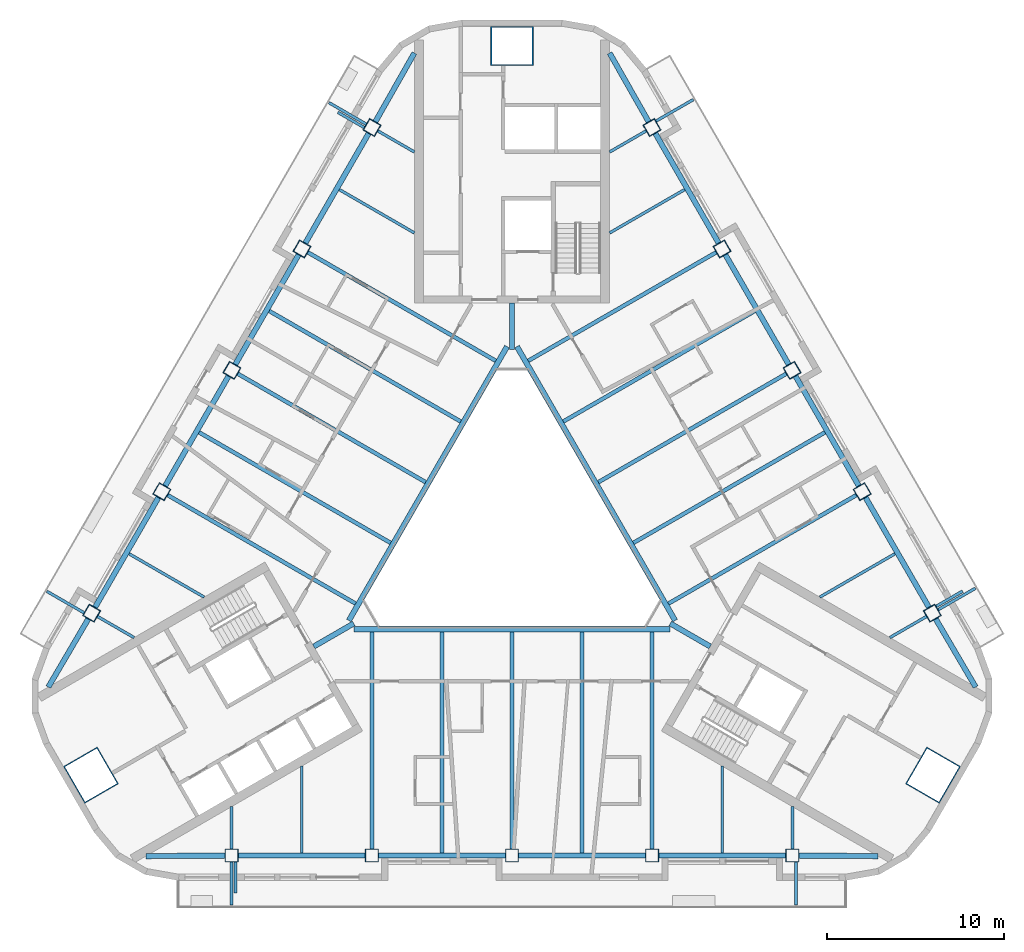
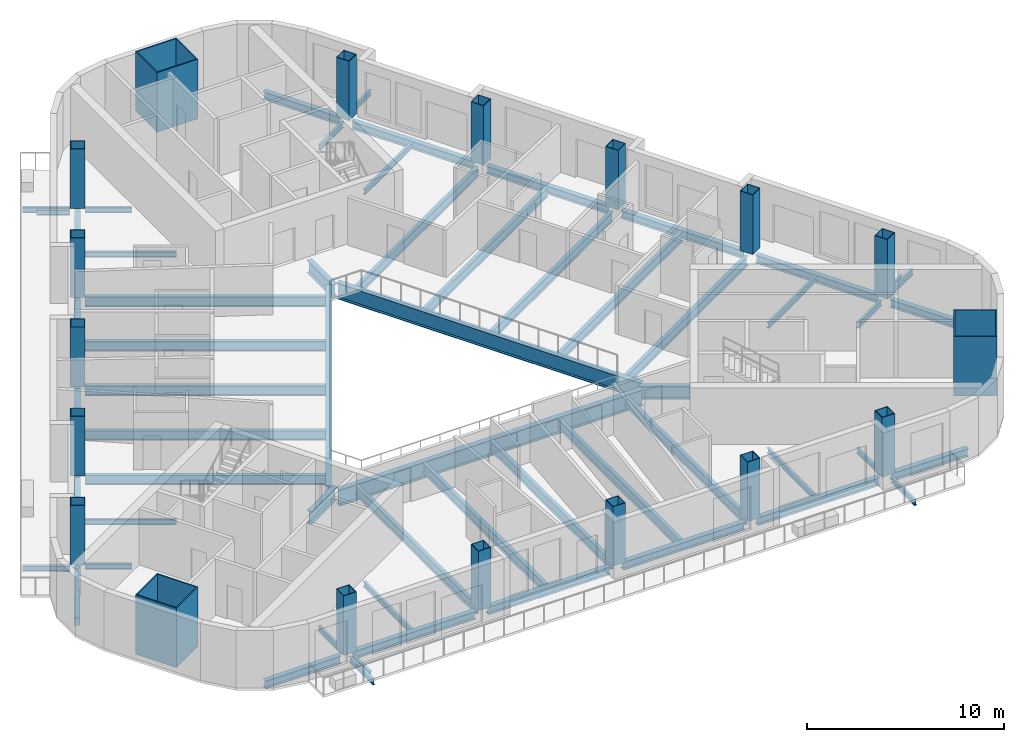
# One storey, part 1 of 14: 60 beams, 18 columns.
"""IFC4 building model written with IfcOpenShell, lengths in metres."""

from ifc_helpers import new_model, si_unit, direction, frame, origin, origin_2d, place, context, subcontext, project, spatial, rectangle, hollow_rectangle, i_section, extrude, material, material_profile, profile_set, type_object, element, save


model = new_model("IFC4")

# Units and contexts
model_context = context("Model", 3, precision=1e-05, world=origin(), true_north=direction((0.0, 1.0)))
body_context = subcontext(model_context, "Body", "Model", "MODEL_VIEW")
ifc_project = project(units=[si_unit("LENGTHUNIT", "METRE"), si_unit("AREAUNIT", "SQUARE_METRE"), si_unit("VOLUMEUNIT", "CUBIC_METRE"), si_unit("PLANEANGLEUNIT", "RADIAN"), si_unit("MASSUNIT", "GRAM", prefix="KILO")], contexts=[model_context])

# Site, building, storey
site_placement = place(None, origin())
site = spatial("IfcSite", under=ifc_project, at=site_placement, CompositionType="ELEMENT")
building_placement = place(site_placement, origin())
building = spatial("IfcBuilding", under=site, at=building_placement, Name="Apuvela Tower Hotel", CompositionType="ELEMENT")
storey_placement = place(building_placement, frame((0.0, 0.0, 205.800048828125)))
storey = spatial("IfcBuildingStorey", under=building, at=storey_placement, Name="L50", CompositionType="ELEMENT", Elevation=205.800048828125)

# Columns
ifc_material_1 = material(Name="Steel S460", Category="steel")
ifc_material_profile_1 = material_profile(ifc_material_1, hollow_rectangle(XDim=2.39990234375, YDim=2.199951171875, WallThickness=0.06005859375, at=origin_2d()), Name="BOX 2400x2200x60")
ifc_material_2 = material(Name="Concrete C80/95", Category="concrete")
ifc_material_profile_2 = material_profile(ifc_material_2, rectangle(XDim=2.280029296875, YDim=2.080078125, at=origin_2d()), Name="Concrete C80/95 infill")
ifc_profile_set_1 = profile_set([ifc_material_profile_1, ifc_material_profile_2], Name="Steel S460")
column_type_1 = type_object("IfcColumnType", Name="STR-MC mega column BOX 2400x2200x60", PredefinedType="COLUMN", material=ifc_profile_set_1)
for number, where, z_axis, x_axis, name in (
    (1, (0.0, 27.39990234375, 0.0), (0.0, 0.0, 1.0), (1.0, 0.0, 0.0), "Mega column MC3 N"),
    (2, (-23.72900390625, -13.699951171875, 0.0), (0.0, 0.0, 1.0), (-0.5, 0.866025403784, 0.0), "Mega column MC3 SW"),
    (3, (23.72900390625, -13.699951171875, 0.0), (0.0, 0.0, 1.0), (0.5, 0.866025403784, 0.0), "Mega column MC3 SE"),
):
    element("IfcColumn", number, at=place(storey_placement, frame(where, z_axis=z_axis, x_axis=x_axis)), inside=storey, type_object=column_type_1, Name=name, PredefinedType="COLUMN", context=body_context, shape_type="SweptSolid", body=[
        extrude(hollow_rectangle(XDim=2.39990234375, YDim=2.199951171875, WallThickness=0.06005859375, at=origin_2d()), origin(), (0.0, 0.0, 1.0), 3.699951171875),
    ])
ifc_material_profile_3 = material_profile(ifc_material_1, hollow_rectangle(XDim=0.75, YDim=0.75, WallThickness=0.034912109375, at=origin_2d()), Name="BOX 750x750x35")
ifc_material_profile_4 = material_profile(ifc_material_2, rectangle(XDim=0.679931640625, YDim=0.679931640625, at=origin_2d()), Name="Concrete C80/95 infill")
ifc_profile_set_2 = profile_set([ifc_material_profile_3, ifc_material_profile_4], Name="Steel S460")
column_type_2 = type_object("IfcColumnType", Name="STR-PC perimeter column BOX 750x750x35", PredefinedType="COLUMN", material=ifc_profile_set_2)
for number, where, z_axis, x_axis, name in (
    (4, (-15.800048828125, -18.22998046875, 0.0), (0.0, 0.0, 1.0), (-1.0, 0.0, 0.0), "Perimeter column C5 S1"),
    (5, (-7.89990234375, -18.22998046875, 0.0), (0.0, 0.0, 1.0), (-1.0, 0.0, 0.0), "Perimeter column C5 S2"),
    (6, (0.0, -18.22998046875, 0.0), (0.0, 0.0, 1.0), (-1.0, 0.0, 0.0), "Perimeter column C5 S3"),
    (7, (7.89990234375, -18.22998046875, 0.0), (0.0, 0.0, 1.0), (-1.0, 0.0, 0.0), "Perimeter column C5 S4"),
    (8, (15.800048828125, -18.22998046875, 0.0), (0.0, 0.0, 1.0), (-1.0, 0.0, 0.0), "Perimeter column C5 S5"),
    (9, (23.6875, -4.568115234375, 0.0), (0.0, 0.0, 1.0), (-0.5, 0.866025403784, 0.0), "Perimeter column C5 NE1"),
    (10, (19.737548828125, 2.2734375, 0.0), (0.0, 0.0, 1.0), (-0.5, 0.866025403784, 0.0), "Perimeter column C5 NE2"),
    (11, (15.78759765625, 9.114990234375, 0.0), (0.0, 0.0, 1.0), (-0.5, 0.866025403784, 0.0), "Perimeter column C5 NE3"),
    (12, (11.837646484375, 15.95654296875, 0.0), (0.0, 0.0, 1.0), (-0.5, 0.866025403784, 0.0), "Perimeter column C5 NE4"),
    (13, (7.8876953125, 22.798095703125, 0.0), (0.0, 0.0, 1.0), (-0.5, 0.866025403784, 0.0), "Perimeter column C5 NE5"),
    (14, (-7.8876953125, 22.798095703125, 0.0), (0.0, 0.0, 1.0), (0.5, 0.866025403784, 0.0), "Perimeter column C5 NW1"),
    (15, (-11.837646484375, 15.95654296875, 0.0), (0.0, 0.0, 1.0), (0.5, 0.866025403784, 0.0), "Perimeter column C5 NW2"),
    (16, (-15.78759765625, 9.114990234375, 0.0), (0.0, 0.0, 1.0), (0.5, 0.866025403784, 0.0), "Perimeter column C5 NW3"),
    (17, (-19.737548828125, 2.2734375, 0.0), (0.0, 0.0, 1.0), (0.5, 0.866025403784, 0.0), "Perimeter column C5 NW4"),
    (18, (-23.6875, -4.568115234375, 0.0), (0.0, 0.0, 1.0), (0.5, 0.866025403784, 0.0), "Perimeter column C5 NW5"),
):
    element("IfcColumn", number, at=place(storey_placement, frame(where, z_axis=z_axis, x_axis=x_axis)), inside=storey, type_object=column_type_2, Name=name, PredefinedType="COLUMN", context=body_context, shape_type="SweptSolid", body=[
        extrude(hollow_rectangle(XDim=0.75, YDim=0.75, WallThickness=0.034912109375, at=origin_2d()), origin(), (0.0, 0.0, 1.0), 3.699951171875),
    ])

# Beams
ifc_material_3 = material(Name="Steel S355", Category="steel")
ifc_material_profile_5 = material_profile(ifc_material_3, i_section(OverallWidth=0.159912109375, OverallDepth=0.330078125, WebThickness=0.007568359375, FlangeThickness=0.011474609375, at=origin_2d()), Name="IPE 330")
ifc_profile_set_3 = profile_set([ifc_material_profile_5], Name="Steel S355")
beam_type_1 = type_object("IfcBeamType", Name="ENV-BALCONY-BEAM-IPE330", PredefinedType="BEAM", material=ifc_profile_set_3)
beam_1_placement = place(storey_placement, frame((-15.800048828125, -18.60498046875, -0.31494140625), z_axis=(0.0, -1.0, 0.0), x_axis=(1.0, 0.0, 0.0)))
element("IfcBeam", 19, at=beam_1_placement, inside=storey, type_object=beam_type_1, Name="Balcony cantilever beam S1 L50", PredefinedType="BEAM", context=body_context, shape_type="SweptSolid", body=[
    extrude(i_section(OverallWidth=0.159912109375, OverallDepth=0.330078125, WebThickness=0.007568359375, FlangeThickness=0.011474609375, at=origin_2d()), origin(), (0.0, 0.0, 1.0), 2.425048828125),
])
beam_2_placement = place(storey_placement, frame((-15.580078125, -18.60498046875, -0.31494140625), z_axis=(0.0, -1.0, 0.0), x_axis=(1.0, 0.0, 0.0)))
element("IfcBeam", 20, at=beam_2_placement, inside=storey, type_object=beam_type_1, Name="Balcony cantilever beam S2 L50", PredefinedType="BEAM", context=body_context, shape_type="SweptSolid", body=[
    extrude(i_section(OverallWidth=0.159912109375, OverallDepth=0.330078125, WebThickness=0.007568359375, FlangeThickness=0.011474609375, at=origin_2d()), origin(), (0.0, 0.0, 1.0), 1.72509765625),
])
for number, where, z_axis, x_axis, name in (
    (21, (16.0, -18.60498046875, -0.31494140625), (0.0, -1.0, 0.0), (1.0, 0.0, 0.0), "Balcony cantilever beam S3 L50"),
    (22, (24.012451171875, -4.380615234375, -0.31494140625), (0.866041403502, 0.499972286653, 0.0), (-0.499972286653, 0.866041403502, 0.0), "Balcony cantilever beam NE1 L50"),
):
    element("IfcBeam", number, at=place(storey_placement, frame(where, z_axis=z_axis, x_axis=x_axis)), inside=storey, type_object=beam_type_1, Name=name, PredefinedType="BEAM", context=body_context, shape_type="SweptSolid", body=[
        extrude(i_section(OverallWidth=0.159912109375, OverallDepth=0.330078125, WebThickness=0.007568359375, FlangeThickness=0.011474609375, at=origin_2d()), origin(), (0.0, 0.0, 1.0), 2.425048828125),
    ])
beam_3_placement = place(storey_placement, frame((23.90234375, -4.190185546875, -0.31494140625), z_axis=(0.866013532718, 0.500020560727, 0.0), x_axis=(-0.500020560727, 0.866013532718, 0.0)))
element("IfcBeam", 23, at=beam_3_placement, inside=storey, type_object=beam_type_1, Name="Balcony cantilever beam NE2 L50", PredefinedType="BEAM", context=body_context, shape_type="SweptSolid", body=[
    extrude(i_section(OverallWidth=0.159912109375, OverallDepth=0.330078125, WebThickness=0.007568359375, FlangeThickness=0.011474609375, at=origin_2d()), origin(), (0.0, 0.0, 1.0), 1.72509765625),
])
for number, where, z_axis, x_axis, name in (
    (24, (8.1123046875, 23.158935546875, -0.31494140625), (0.866041403502, 0.499972286653, 0.0), (-0.499972286653, 0.866041403502, 0.0), "Balcony cantilever beam NE3 L50"),
    (25, (-8.21240234375, 22.985595703125, -0.31494140625), (-0.865997808697, 0.500047793048, 0.0), (-0.500047793048, -0.865997808697, 0.0), "Balcony cantilever beam NW1 L50"),
):
    element("IfcBeam", number, at=place(storey_placement, frame(where, z_axis=z_axis, x_axis=x_axis)), inside=storey, type_object=beam_type_1, Name=name, PredefinedType="BEAM", context=body_context, shape_type="SweptSolid", body=[
        extrude(i_section(OverallWidth=0.159912109375, OverallDepth=0.330078125, WebThickness=0.007568359375, FlangeThickness=0.011474609375, at=origin_2d()), origin(), (0.0, 0.0, 1.0), 2.425048828125),
    ])
beam_4_placement = place(storey_placement, frame((-8.322509765625, 22.795166015625, -0.31494140625), z_axis=(-0.866013532718, 0.500020560727, 0.0), x_axis=(-0.500020560727, -0.866013532718, 0.0)))
element("IfcBeam", 26, at=beam_4_placement, inside=storey, type_object=beam_type_1, Name="Balcony cantilever beam NW2 L50", PredefinedType="BEAM", context=body_context, shape_type="SweptSolid", body=[
    extrude(i_section(OverallWidth=0.159912109375, OverallDepth=0.330078125, WebThickness=0.007568359375, FlangeThickness=0.011474609375, at=origin_2d()), origin(), (0.0, 0.0, 1.0), 1.72509765625),
])
beam_5_placement = place(storey_placement, frame((-24.1123046875, -4.553955078125, -0.31494140625), z_axis=(-0.865997808697, 0.500047793048, 0.0), x_axis=(-0.500047793048, -0.865997808697, 0.0)))
element("IfcBeam", 27, at=beam_5_placement, inside=storey, type_object=beam_type_1, Name="Balcony cantilever beam NW3 L50", PredefinedType="BEAM", context=body_context, shape_type="SweptSolid", body=[
    extrude(i_section(OverallWidth=0.159912109375, OverallDepth=0.330078125, WebThickness=0.007568359375, FlangeThickness=0.011474609375, at=origin_2d()), origin(), (0.0, 0.0, 1.0), 2.425048828125),
])
ifc_material_profile_6 = material_profile(ifc_material_3, i_section(OverallWidth=0.159912109375, OverallDepth=0.330078125, WebThickness=0.007568359375, FlangeThickness=0.011474609375, at=origin_2d()), Name="IPE 330")
ifc_profile_set_4 = profile_set([ifc_material_profile_6], Name="Steel S355")
beam_type_2 = type_object("IfcBeamType", Name="STR-B floor beam IPE 330", PredefinedType="BEAM", material=ifc_profile_set_4)
beam_6_placement = place(storey_placement, frame((23.36279296875, -4.755615234375, -0.31494140625), z_axis=(-0.865982457891, -0.500074377092, 0.0), x_axis=(0.500074377092, -0.865982457891, 0.0)))
element("IfcBeam", 28, at=beam_6_placement, inside=storey, type_object=beam_type_2, Name="Floor beam B1 NE1", PredefinedType="BEAM", context=body_context, shape_type="SweptSolid", body=[
    extrude(i_section(OverallWidth=0.159912109375, OverallDepth=0.330078125, WebThickness=0.007568359375, FlangeThickness=0.011474609375, at=origin_2d()), origin(), (0.0, 0.0, 1.0), 2.382080078125),
])
for number, where, z_axis, x_axis, name in (
    (29, (21.582763671875, -1.222412109375, -0.31494140625), (-0.866015056278, -0.500017921979, 0.0), (0.500017921979, -0.866015056278, 0.0), "Floor beam B1 NE2"),
    (30, (9.732666015625, 19.302490234375, -0.31494140625), (-0.866015056278, -0.500017921979, 0.0), (0.500017921979, -0.866015056278, 0.0), "Floor beam B1 NE8"),
):
    element("IfcBeam", number, at=place(storey_placement, frame(where, z_axis=z_axis, x_axis=x_axis)), inside=storey, type_object=beam_type_2, Name=name, PredefinedType="BEAM", context=body_context, shape_type="SweptSolid", body=[
        extrude(i_section(OverallWidth=0.159912109375, OverallDepth=0.330078125, WebThickness=0.007568359375, FlangeThickness=0.011474609375, at=origin_2d()), origin(), (0.0, 0.0, 1.0), 4.887451171875),
    ])
for number, where, z_axis, x_axis, name in (
    (31, (7.56298828125, 22.610595703125, -0.31494140625), (-0.866052464367, -0.499953126767, 0.0), (0.499953126767, -0.866052464367, 0.0), "Floor beam B1 NE9"),
    (32, (-7.56298828125, 22.610595703125, -0.31494140625), (0.866052464367, -0.499953126767, 0.0), (0.499953126767, 0.866052464367, 0.0), "Floor beam B1 NW1"),
):
    element("IfcBeam", number, at=place(storey_placement, frame(where, z_axis=z_axis, x_axis=x_axis)), inside=storey, type_object=beam_type_2, Name=name, PredefinedType="BEAM", context=body_context, shape_type="SweptSolid", body=[
        extrude(i_section(OverallWidth=0.159912109375, OverallDepth=0.330078125, WebThickness=0.007568359375, FlangeThickness=0.011474609375, at=origin_2d()), origin(), (0.0, 0.0, 1.0), 2.382080078125),
    ])
for number, where, z_axis, x_axis, name in (
    (33, (-9.732666015625, 19.302490234375, -0.31494140625), (0.866015056278, -0.500017921979, 0.0), (0.500017921979, 0.866015056278, 0.0), "Floor beam B1 NW2"),
    (34, (-21.582763671875, -1.222412109375, -0.31494140625), (0.866015056278, -0.500017921979, 0.0), (0.500017921979, 0.866015056278, 0.0), "Floor beam B1 NW8"),
):
    element("IfcBeam", number, at=place(storey_placement, frame(where, z_axis=z_axis, x_axis=x_axis)), inside=storey, type_object=beam_type_2, Name=name, PredefinedType="BEAM", context=body_context, shape_type="SweptSolid", body=[
        extrude(i_section(OverallWidth=0.159912109375, OverallDepth=0.330078125, WebThickness=0.007568359375, FlangeThickness=0.011474609375, at=origin_2d()), origin(), (0.0, 0.0, 1.0), 4.887451171875),
    ])
for number, where, z_axis, x_axis, name in (
    (35, (-23.36279296875, -4.755615234375, -0.31494140625), (0.865982457891, -0.500074377092, 0.0), (0.500074377092, 0.865982457891, 0.0), "Floor beam B1 NW9"),
    (36, (-15.800048828125, -17.85498046875, -0.31494140625), (0.0, 1.0, 0.0), (-1.0, 0.0, 0.0), "Floor beam B1 S1"),
):
    element("IfcBeam", number, at=place(storey_placement, frame(where, z_axis=z_axis, x_axis=x_axis)), inside=storey, type_object=beam_type_2, Name=name, PredefinedType="BEAM", context=body_context, shape_type="SweptSolid", body=[
        extrude(i_section(OverallWidth=0.159912109375, OverallDepth=0.330078125, WebThickness=0.007568359375, FlangeThickness=0.011474609375, at=origin_2d()), origin(), (0.0, 0.0, 1.0), 2.382080078125),
    ])
for number, where, z_axis, x_axis, name in (
    (37, (-11.85009765625, -18.080078125, -0.31494140625), (0.0, 1.0, 0.0), (-1.0, 0.0, 0.0), "Floor beam B1 S2"),
    (38, (11.85009765625, -18.080078125, -0.31494140625), (0.0, 1.0, 0.0), (-1.0, 0.0, 0.0), "Floor beam B1 S8"),
):
    element("IfcBeam", number, at=place(storey_placement, frame(where, z_axis=z_axis, x_axis=x_axis)), inside=storey, type_object=beam_type_2, Name=name, PredefinedType="BEAM", context=body_context, shape_type="SweptSolid", body=[
        extrude(i_section(OverallWidth=0.159912109375, OverallDepth=0.330078125, WebThickness=0.007568359375, FlangeThickness=0.011474609375, at=origin_2d()), origin(), (0.0, 0.0, 1.0), 4.8876953125),
    ])
beam_7_placement = place(storey_placement, frame((15.800048828125, -17.85498046875, -0.31494140625), z_axis=(0.0, 1.0, 0.0), x_axis=(-1.0, 0.0, 0.0)))
element("IfcBeam", 39, at=beam_7_placement, inside=storey, type_object=beam_type_2, Name="Floor beam B1 S9", PredefinedType="BEAM", context=body_context, shape_type="SweptSolid", body=[
    extrude(i_section(OverallWidth=0.159912109375, OverallDepth=0.330078125, WebThickness=0.007568359375, FlangeThickness=0.011474609375, at=origin_2d()), origin(), (0.0, 0.0, 1.0), 2.382080078125),
])
ifc_material_profile_7 = material_profile(ifc_material_3, i_section(OverallWidth=0.219970703125, OverallDepth=0.60009765625, WebThickness=0.011962890625, FlangeThickness=0.01904296875, at=origin_2d()), Name="IPE 600")
ifc_profile_set_5 = profile_set([ifc_material_profile_7], Name="Steel S355")
beam_type_3 = type_object("IfcBeamType", Name="STR-B floor beam IPE 600", PredefinedType="BEAM", material=ifc_profile_set_5)
beam_8_placement = place(storey_placement, frame((19.412841796875, 2.0859375, -0.449951171875), z_axis=(-0.866025418325, -0.499999974815, 0.0), x_axis=(0.499999974815, -0.866025418325, 0.0)))
element("IfcBeam", 40, at=beam_8_placement, inside=storey, type_object=beam_type_3, Name="Floor beam B8 NE3", PredefinedType="BEAM", context=body_context, shape_type="SweptSolid", body=[
    extrude(i_section(OverallWidth=0.219970703125, OverallDepth=0.60009765625, WebThickness=0.011962890625, FlangeThickness=0.01904296875, at=origin_2d()), origin(), (0.0, 0.0, 1.0), 12.23486328125),
])
beam_9_placement = place(storey_placement, frame((17.6328125, 5.619140625, -0.449951171875), z_axis=(-0.866027987673, -0.499995524547, 0.0), x_axis=(0.499995524547, -0.866027987673, 0.0)))
element("IfcBeam", 41, at=beam_9_placement, inside=storey, type_object=beam_type_3, Name="Floor beam B8 NE4", PredefinedType="BEAM", context=body_context, shape_type="SweptSolid", body=[
    extrude(i_section(OverallWidth=0.219970703125, OverallDepth=0.60009765625, WebThickness=0.011962890625, FlangeThickness=0.01904296875, at=origin_2d()), origin(), (0.0, 0.0, 1.0), 12.4599609375),
])
beam_10_placement = place(storey_placement, frame((15.462890625, 8.927490234375, -0.449951171875), z_axis=(-0.866025418325, -0.499999974815, 0.0), x_axis=(0.499999974815, -0.866025418325, 0.0)))
element("IfcBeam", 42, at=beam_10_placement, inside=storey, type_object=beam_type_3, Name="Floor beam B8 NE5", PredefinedType="BEAM", context=body_context, shape_type="SweptSolid", body=[
    extrude(i_section(OverallWidth=0.219970703125, OverallDepth=0.60009765625, WebThickness=0.011962890625, FlangeThickness=0.01904296875, at=origin_2d()), origin(), (0.0, 0.0, 1.0), 12.23486328125),
])
beam_11_placement = place(storey_placement, frame((13.6826171875, 12.460693359375, -0.449951171875), z_axis=(-0.866023089177, -0.500004008996, 0.0), x_axis=(0.500004008996, -0.866023089177, 0.0)))
element("IfcBeam", 43, at=beam_11_placement, inside=storey, type_object=beam_type_3, Name="Floor beam B8 NE6", PredefinedType="BEAM", context=body_context, shape_type="SweptSolid", body=[
    extrude(i_section(OverallWidth=0.219970703125, OverallDepth=0.60009765625, WebThickness=0.011962890625, FlangeThickness=0.01904296875, at=origin_2d()), origin(), (0.0, 0.0, 1.0), 12.4599609375),
])
for number, where, z_axis, x_axis, name in (
    (44, (11.512939453125, 15.76904296875, -0.449951171875), (-0.866030406821, -0.499991334387, 0.0), (0.499991334387, -0.866030406821, 0.0), "Floor beam B8 NE7"),
    (45, (-11.512939453125, 15.76904296875, -0.449951171875), (0.866030406821, -0.499991334387, 0.0), (0.499991334387, 0.866030406821, 0.0), "Floor beam B8 NW3"),
):
    element("IfcBeam", number, at=place(storey_placement, frame(where, z_axis=z_axis, x_axis=x_axis)), inside=storey, type_object=beam_type_3, Name=name, PredefinedType="BEAM", context=body_context, shape_type="SweptSolid", body=[
        extrude(i_section(OverallWidth=0.219970703125, OverallDepth=0.60009765625, WebThickness=0.011962890625, FlangeThickness=0.01904296875, at=origin_2d()), origin(), (0.0, 0.0, 1.0), 12.235107421875),
    ])
beam_12_placement = place(storey_placement, frame((-13.6826171875, 12.460693359375, -0.449951171875), z_axis=(0.866023089177, -0.500004008996, 0.0), x_axis=(0.500004008996, 0.866023089177, 0.0)))
element("IfcBeam", 46, at=beam_12_placement, inside=storey, type_object=beam_type_3, Name="Floor beam B8 NW4", PredefinedType="BEAM", context=body_context, shape_type="SweptSolid", body=[
    extrude(i_section(OverallWidth=0.219970703125, OverallDepth=0.60009765625, WebThickness=0.011962890625, FlangeThickness=0.01904296875, at=origin_2d()), origin(), (0.0, 0.0, 1.0), 12.4599609375),
])
beam_13_placement = place(storey_placement, frame((-15.462890625, 8.927490234375, -0.449951171875), z_axis=(0.866025418325, -0.499999974815, 0.0), x_axis=(0.499999974815, 0.866025418325, 0.0)))
element("IfcBeam", 47, at=beam_13_placement, inside=storey, type_object=beam_type_3, Name="Floor beam B8 NW5", PredefinedType="BEAM", context=body_context, shape_type="SweptSolid", body=[
    extrude(i_section(OverallWidth=0.219970703125, OverallDepth=0.60009765625, WebThickness=0.011962890625, FlangeThickness=0.01904296875, at=origin_2d()), origin(), (0.0, 0.0, 1.0), 12.23486328125),
])
beam_14_placement = place(storey_placement, frame((-17.6328125, 5.619140625, -0.449951171875), z_axis=(0.866027987673, -0.499995524547, 0.0), x_axis=(0.499995524547, 0.866027987673, 0.0)))
element("IfcBeam", 48, at=beam_14_placement, inside=storey, type_object=beam_type_3, Name="Floor beam B8 NW6", PredefinedType="BEAM", context=body_context, shape_type="SweptSolid", body=[
    extrude(i_section(OverallWidth=0.219970703125, OverallDepth=0.60009765625, WebThickness=0.011962890625, FlangeThickness=0.01904296875, at=origin_2d()), origin(), (0.0, 0.0, 1.0), 12.4599609375),
])
for number, where, z_axis, x_axis, name in (
    (49, (-19.412841796875, 2.0859375, -0.449951171875), (0.866025418325, -0.499999974815, 0.0), (0.499999974815, 0.866025418325, 0.0), "Floor beam B8 NW7"),
    (50, (-7.89990234375, -17.85498046875, -0.449951171875), (0.0, 1.0, 0.0), (-1.0, 0.0, 0.0), "Floor beam B8 S3"),
):
    element("IfcBeam", number, at=place(storey_placement, frame(where, z_axis=z_axis, x_axis=x_axis)), inside=storey, type_object=beam_type_3, Name=name, PredefinedType="BEAM", context=body_context, shape_type="SweptSolid", body=[
        extrude(i_section(OverallWidth=0.219970703125, OverallDepth=0.60009765625, WebThickness=0.011962890625, FlangeThickness=0.01904296875, at=origin_2d()), origin(), (0.0, 0.0, 1.0), 12.23486328125),
    ])
beam_15_placement = place(storey_placement, frame((-3.949951171875, -18.080078125, -0.449951171875), z_axis=(0.0, 1.0, 0.0), x_axis=(-1.0, 0.0, 0.0)))
element("IfcBeam", 51, at=beam_15_placement, inside=storey, type_object=beam_type_3, Name="Floor beam B8 S4", PredefinedType="BEAM", context=body_context, shape_type="SweptSolid", body=[
    extrude(i_section(OverallWidth=0.219970703125, OverallDepth=0.60009765625, WebThickness=0.011962890625, FlangeThickness=0.01904296875, at=origin_2d()), origin(), (0.0, 0.0, 1.0), 12.4599609375),
])
beam_16_placement = place(storey_placement, frame((0.0, -17.85498046875, -0.449951171875), z_axis=(0.0, 1.0, 0.0), x_axis=(-1.0, 0.0, 0.0)))
element("IfcBeam", 52, at=beam_16_placement, inside=storey, type_object=beam_type_3, Name="Floor beam B8 S5", PredefinedType="BEAM", context=body_context, shape_type="SweptSolid", body=[
    extrude(i_section(OverallWidth=0.219970703125, OverallDepth=0.60009765625, WebThickness=0.011962890625, FlangeThickness=0.01904296875, at=origin_2d()), origin(), (0.0, 0.0, 1.0), 12.23486328125),
])
beam_17_placement = place(storey_placement, frame((3.949951171875, -18.080078125, -0.449951171875), z_axis=(0.0, 1.0, 0.0), x_axis=(-1.0, 0.0, 0.0)))
element("IfcBeam", 53, at=beam_17_placement, inside=storey, type_object=beam_type_3, Name="Floor beam B8 S6", PredefinedType="BEAM", context=body_context, shape_type="SweptSolid", body=[
    extrude(i_section(OverallWidth=0.219970703125, OverallDepth=0.60009765625, WebThickness=0.011962890625, FlangeThickness=0.01904296875, at=origin_2d()), origin(), (0.0, 0.0, 1.0), 12.4599609375),
])
beam_18_placement = place(storey_placement, frame((7.89990234375, -17.85498046875, -0.449951171875), z_axis=(0.0, 1.0, 0.0), x_axis=(-1.0, 0.0, 0.0)))
element("IfcBeam", 54, at=beam_18_placement, inside=storey, type_object=beam_type_3, Name="Floor beam B8 S7", PredefinedType="BEAM", context=body_context, shape_type="SweptSolid", body=[
    extrude(i_section(OverallWidth=0.219970703125, OverallDepth=0.60009765625, WebThickness=0.011962890625, FlangeThickness=0.01904296875, at=origin_2d()), origin(), (0.0, 0.0, 1.0), 12.23486328125),
])
ifc_material_profile_8 = material_profile(ifc_material_3, i_section(OverallWidth=0.300048828125, OverallDepth=1.0, WebThickness=0.01904296875, FlangeThickness=0.035888671875, at=origin_2d()), Name="HE 1000 B")
ifc_profile_set_6 = profile_set([ifc_material_profile_8], Name="Steel S355")
beam_type_4 = type_object("IfcBeamType", Name="STR-G atrium ring girder HE 1000 B", PredefinedType="BEAM", material=ifc_profile_set_6)
beam_19_placement = place(storey_placement, frame((-0.27978515625, 10.455078125, -0.650146484375), z_axis=(-0.500006541319, -0.866021627119, 0.0), x_axis=(0.866021627119, -0.500006541319, 0.0)))
element("IfcBeam", 55, at=beam_19_placement, inside=storey, type_object=beam_type_4, Name="Atrium ring girder G2 N-SW", PredefinedType="BEAM", context=body_context, shape_type="SweptSolid", body=[
    extrude(i_section(OverallWidth=0.300048828125, OverallDepth=1.0, WebThickness=0.01904296875, FlangeThickness=0.035888671875, at=origin_2d()), origin(), (0.0, 0.0, 1.0), 17.828857421875),
])
beam_20_placement = place(storey_placement, frame((-8.91455078125, -5.469970703125, -0.650146484375), z_axis=(1.0, 0.0, 0.0), x_axis=(0.0, 1.0, 0.0)))
element("IfcBeam", 56, at=beam_20_placement, inside=storey, type_object=beam_type_4, Name="Atrium ring girder G2 SW-SE", PredefinedType="BEAM", context=body_context, shape_type="SweptSolid", body=[
    extrude(i_section(OverallWidth=0.300048828125, OverallDepth=1.0, WebThickness=0.01904296875, FlangeThickness=0.035888671875, at=origin_2d()), origin(), (0.0, 0.0, 1.0), 17.8291015625),
])
beam_21_placement = place(storey_placement, frame((9.1943359375, -4.985107421875, -0.650146484375), z_axis=(-0.500006541319, 0.866021627119, 0.0), x_axis=(-0.866021627119, -0.500006541319, 0.0)))
element("IfcBeam", 57, at=beam_21_placement, inside=storey, type_object=beam_type_4, Name="Atrium ring girder G2 SE-N", PredefinedType="BEAM", context=body_context, shape_type="SweptSolid", body=[
    extrude(i_section(OverallWidth=0.300048828125, OverallDepth=1.0, WebThickness=0.01904296875, FlangeThickness=0.035888671875, at=origin_2d()), origin(), (0.0, 0.0, 1.0), 17.828857421875),
])
ifc_material_profile_9 = material_profile(ifc_material_3, i_section(OverallWidth=0.300048828125, OverallDepth=0.800048828125, WebThickness=0.017578125, FlangeThickness=0.032958984375, at=origin_2d()), Name="HE 800 B")
ifc_profile_set_7 = profile_set([ifc_material_profile_9], Name="Steel S355")
beam_type_5 = type_object("IfcBeamType", Name="STR-GT core tie beam HE 800 B", PredefinedType="BEAM", material=ifc_profile_set_7)
for number, where, z_axis, x_axis, name in (
    (58, (0.0, 12.89990234375, -0.550048828125), (0.0, -1.0, 0.0), (1.0, 0.0, 0.0), "Core tie beam GT1 N"),
    (59, (-11.171630859375, -6.449951171875, -0.550048828125), (0.865997922154, 0.500047596559, 0.0), (-0.500047596559, 0.865997922154, 0.0), "Core tie beam GT1 SW"),
    (60, (11.171630859375, -6.449951171875, -0.550048828125), (-0.865997922154, 0.500047596559, 0.0), (-0.500047596559, -0.865997922154, 0.0), "Core tie beam GT1 SE"),
):
    element("IfcBeam", number, at=place(storey_placement, frame(where, z_axis=z_axis, x_axis=x_axis)), inside=storey, type_object=beam_type_5, Name=name, PredefinedType="BEAM", context=body_context, shape_type="SweptSolid", body=[
        extrude(i_section(OverallWidth=0.300048828125, OverallDepth=0.800048828125, WebThickness=0.017578125, FlangeThickness=0.032958984375, at=origin_2d()), origin(), (0.0, 0.0, 1.0), 2.599853515625),
    ])
ifc_material_profile_10 = material_profile(ifc_material_3, i_section(OverallWidth=0.300048828125, OverallDepth=0.489990234375, WebThickness=0.011962890625, FlangeThickness=0.02294921875, at=origin_2d()), Name="HE 500 A")
ifc_profile_set_8 = profile_set([ifc_material_profile_10], Name="Steel S355")
beam_type_6 = type_object("IfcBeamType", Name="STR-SB spandrel beam HE 500 A", PredefinedType="SPANDREL", material=ifc_profile_set_8)
beam_22_placement = place(storey_placement, frame((-15.425048828125, -18.22998046875, -0.39501953125), z_axis=(1.0, 0.0, 0.0), x_axis=(0.0, 1.0, 0.0)))
element("IfcBeam", 61, at=beam_22_placement, inside=storey, type_object=beam_type_6, Name="Spandrel beam SB3 S1", PredefinedType="SPANDREL", context=body_context, shape_type="SweptSolid", body=[
    extrude(i_section(OverallWidth=0.300048828125, OverallDepth=0.489990234375, WebThickness=0.011962890625, FlangeThickness=0.02294921875, at=origin_2d()), origin(), (0.0, 0.0, 1.0), 7.150146484375),
])
for number, where, z_axis, x_axis, name in (
    (62, (-7.52490234375, -18.22998046875, -0.39501953125), (1.0, 0.0, 0.0), (0.0, 1.0, 0.0), "Spandrel beam SB3 S2"),
    (63, (0.375, -18.22998046875, -0.39501953125), (1.0, 0.0, 0.0), (0.0, 1.0, 0.0), "Spandrel beam SB3 S3"),
):
    element("IfcBeam", number, at=place(storey_placement, frame(where, z_axis=z_axis, x_axis=x_axis)), inside=storey, type_object=beam_type_6, Name=name, PredefinedType="SPANDREL", context=body_context, shape_type="SweptSolid", body=[
        extrude(i_section(OverallWidth=0.300048828125, OverallDepth=0.489990234375, WebThickness=0.011962890625, FlangeThickness=0.02294921875, at=origin_2d()), origin(), (0.0, 0.0, 1.0), 7.14990234375),
    ])
beam_23_placement = place(storey_placement, frame((8.27490234375, -18.22998046875, -0.39501953125), z_axis=(1.0, 0.0, 0.0), x_axis=(0.0, 1.0, 0.0)))
element("IfcBeam", 64, at=beam_23_placement, inside=storey, type_object=beam_type_6, Name="Spandrel beam SB3 S4", PredefinedType="SPANDREL", context=body_context, shape_type="SweptSolid", body=[
    extrude(i_section(OverallWidth=0.300048828125, OverallDepth=0.489990234375, WebThickness=0.011962890625, FlangeThickness=0.02294921875, at=origin_2d()), origin(), (0.0, 0.0, 1.0), 7.150146484375),
])
beam_24_placement = place(storey_placement, frame((23.5, -4.243408203125, -0.39501953125), z_axis=(-0.500006209673, 0.866021818598, 0.0), x_axis=(-0.866021818598, -0.500006209673, 0.0)))
element("IfcBeam", 65, at=beam_24_placement, inside=storey, type_object=beam_type_6, Name="Spandrel beam SB3 NE1", PredefinedType="SPANDREL", context=body_context, shape_type="SweptSolid", body=[
    extrude(i_section(OverallWidth=0.300048828125, OverallDepth=0.489990234375, WebThickness=0.011962890625, FlangeThickness=0.02294921875, at=origin_2d()), origin(), (0.0, 0.0, 1.0), 7.14990234375),
])
for number, where, z_axis, x_axis, name in (
    (66, (19.550048828125, 2.59814453125, -0.39501953125), (-0.499991424076, 0.86603035504, 0.0), (-0.86603035504, -0.499991424076, 0.0), "Spandrel beam SB3 NE2"),
    (67, (15.60009765625, 9.439697265625, -0.39501953125), (-0.499991424076, 0.86603035504, 0.0), (-0.86603035504, -0.499991424076, 0.0), "Spandrel beam SB3 NE3"),
):
    element("IfcBeam", number, at=place(storey_placement, frame(where, z_axis=z_axis, x_axis=x_axis)), inside=storey, type_object=beam_type_6, Name=name, PredefinedType="SPANDREL", context=body_context, shape_type="SweptSolid", body=[
        extrude(i_section(OverallWidth=0.300048828125, OverallDepth=0.489990234375, WebThickness=0.011962890625, FlangeThickness=0.02294921875, at=origin_2d()), origin(), (0.0, 0.0, 1.0), 7.150146484375),
    ])
for number, where, z_axis, x_axis, name in (
    (68, (11.650146484375, 16.281494140625, -0.39501953125), (-0.500006209673, 0.866021818598, 0.0), (-0.866021818598, -0.500006209673, 0.0), "Spandrel beam SB3 NE4"),
    (69, (-8.0751953125, 22.473388671875, -0.39501953125), (-0.500006209673, -0.866021818598, 0.0), (0.866021818598, -0.500006209673, 0.0), "Spandrel beam SB3 NW1"),
):
    element("IfcBeam", number, at=place(storey_placement, frame(where, z_axis=z_axis, x_axis=x_axis)), inside=storey, type_object=beam_type_6, Name=name, PredefinedType="SPANDREL", context=body_context, shape_type="SweptSolid", body=[
        extrude(i_section(OverallWidth=0.300048828125, OverallDepth=0.489990234375, WebThickness=0.011962890625, FlangeThickness=0.02294921875, at=origin_2d()), origin(), (0.0, 0.0, 1.0), 7.14990234375),
    ])
for number, where, z_axis, x_axis, name in (
    (70, (-12.025146484375, 15.6318359375, -0.39501953125), (-0.499991424076, -0.86603035504, 0.0), (0.86603035504, -0.499991424076, 0.0), "Spandrel beam SB3 NW2"),
    (71, (-15.97509765625, 8.790283203125, -0.39501953125), (-0.499991424076, -0.86603035504, 0.0), (0.86603035504, -0.499991424076, 0.0), "Spandrel beam SB3 NW3"),
):
    element("IfcBeam", number, at=place(storey_placement, frame(where, z_axis=z_axis, x_axis=x_axis)), inside=storey, type_object=beam_type_6, Name=name, PredefinedType="SPANDREL", context=body_context, shape_type="SweptSolid", body=[
        extrude(i_section(OverallWidth=0.300048828125, OverallDepth=0.489990234375, WebThickness=0.011962890625, FlangeThickness=0.02294921875, at=origin_2d()), origin(), (0.0, 0.0, 1.0), 7.150146484375),
    ])
beam_25_placement = place(storey_placement, frame((-19.925048828125, 1.948486328125, -0.39501953125), z_axis=(-0.500006209673, -0.866021818598, 0.0), x_axis=(0.866021818598, -0.500006209673, 0.0)))
element("IfcBeam", 72, at=beam_25_placement, inside=storey, type_object=beam_type_6, Name="Spandrel beam SB3 NW4", PredefinedType="SPANDREL", context=body_context, shape_type="SweptSolid", body=[
    extrude(i_section(OverallWidth=0.300048828125, OverallDepth=0.489990234375, WebThickness=0.011962890625, FlangeThickness=0.02294921875, at=origin_2d()), origin(), (0.0, 0.0, 1.0), 7.14990234375),
])
for number, where, z_axis, x_axis, name in (
    (73, (-16.175048828125, -18.232666015625, -0.39501953125), (-0.999976567383, -0.006845778571, 0.0), (0.006845778571, -0.999976567383, 0.0), "Spandrel beam SB3 S1-SW"),
    (74, (16.175048828125, -18.232666015625, -0.39501953125), (0.999976567383, -0.006845778571, 0.0), (0.006845778571, 0.999976567383, 0.0), "Spandrel beam SB3 S5-SE"),
    (75, (23.87744140625, -4.8916015625, -0.39501953125), (0.505933122104, -0.862572707636, 0.0), (0.862572707636, 0.505933122104, 0.0), "Spandrel beam SB3 NE1-SE"),
    (76, (7.702392578125, 23.124267578125, -0.39501953125), (-0.494055513212, 0.869430359411, 0.0), (-0.869430359411, -0.494055513212, 0.0), "Spandrel beam SB3 NE5-N"),
    (77, (-7.702392578125, 23.124267578125, -0.39501953125), (0.494055513212, 0.869430359411, 0.0), (-0.869430359411, 0.494055513212, 0.0), "Spandrel beam SB3 NW1-N"),
    (78, (-23.87744140625, -4.8916015625, -0.39501953125), (-0.505933122104, -0.862572707636, 0.0), (0.862572707636, -0.505933122104, 0.0), "Spandrel beam SB3 NW5-SW"),
):
    element("IfcBeam", number, at=place(storey_placement, frame(where, z_axis=z_axis, x_axis=x_axis)), inside=storey, type_object=beam_type_6, Name=name, PredefinedType="SPANDREL", context=body_context, shape_type="SweptSolid", body=[
        extrude(i_section(OverallWidth=0.300048828125, OverallDepth=0.489990234375, WebThickness=0.011962890625, FlangeThickness=0.02294921875, at=origin_2d()), origin(), (0.0, 0.0, 1.0), 4.457763671875),
    ])

save(model, "model.ifc")
